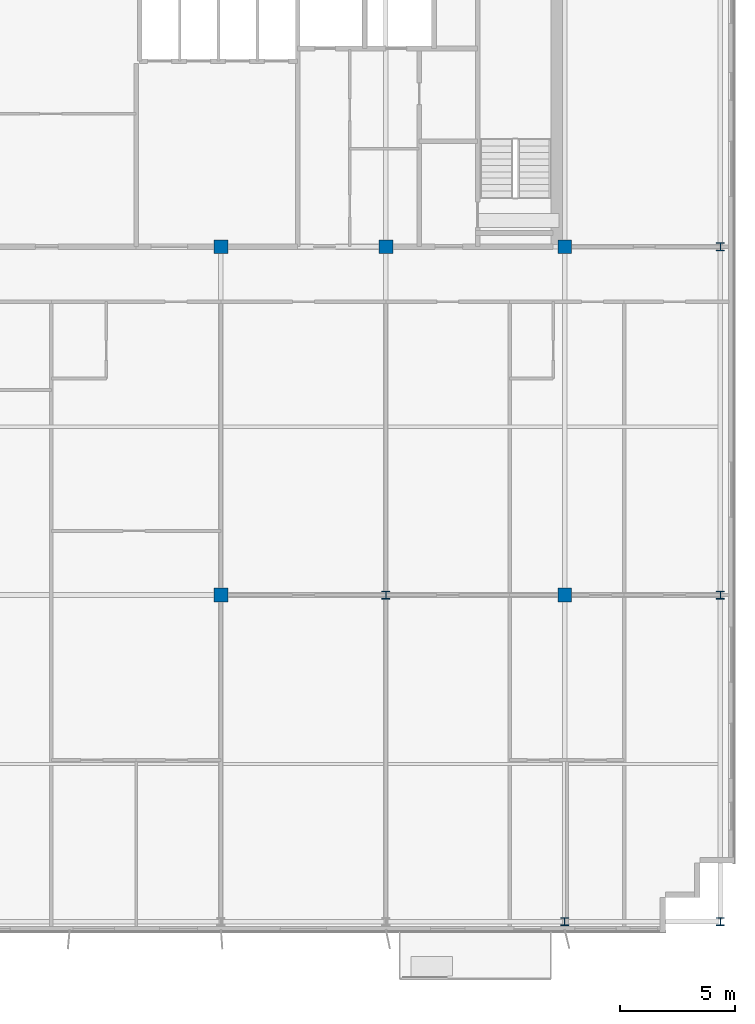
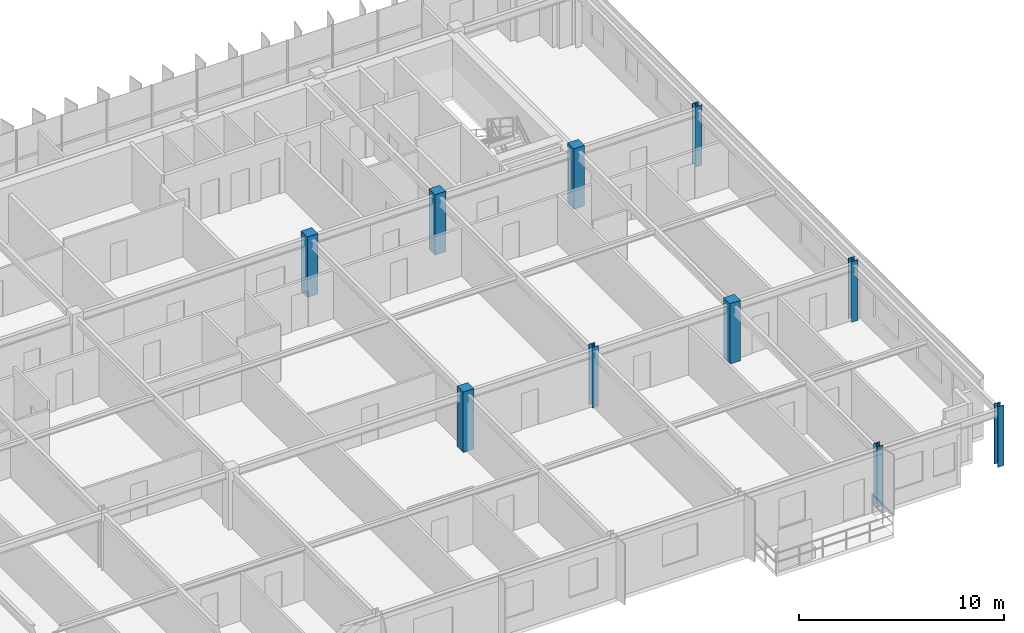
# One storey, part 2 of 23: 10 columns.
"""IFC4 building model written with IfcOpenShell, lengths in metres."""

from ifc_helpers import new_model, si_unit, direction, frame, origin, origin_2d, place, context, subcontext, project, spatial, rectangle, i_section, extrude, source, transform, mapped, material, material_profile, profile_set, type_object, element, save


model = new_model("IFC4")

# Units and contexts
model_context = context("Model", 3, precision=1e-05, world=origin(), true_north=direction((0.0, 1.0)))
body_context = subcontext(model_context, "Body", "Model", "MODEL_VIEW")
ifc_project = project(units=[si_unit("LENGTHUNIT", "METRE"), si_unit("AREAUNIT", "SQUARE_METRE"), si_unit("VOLUMEUNIT", "CUBIC_METRE"), si_unit("PLANEANGLEUNIT", "RADIAN"), si_unit("MASSUNIT", "GRAM", prefix="KILO")], contexts=[model_context])

# Site, building, storey
site_placement = place(None, origin())
site = spatial("IfcSite", under=ifc_project, at=site_placement, CompositionType="ELEMENT")
building_placement = place(site_placement, origin())
building = spatial("IfcBuilding", under=site, at=building_placement, Name="Trelvane Seafront Commons", CompositionType="ELEMENT")
storey_placement = place(building_placement, frame((0.0, 0.0, 266.699951171875)))
storey = spatial("IfcBuildingStorey", under=building, at=storey_placement, Name="L69", CompositionType="ELEMENT", Elevation=266.699951171875)

# Columns
ifc_material_1 = material(Name="Steel SM355 (S355)", Category="steel")
ifc_material_profile_1 = material_profile(ifc_material_1, i_section(OverallWidth=0.35009765625, OverallDepth=0.35009765625, WebThickness=0.01806640625, FlangeThickness=0.028076171875, at=origin_2d()), Name="HD-350x350x18x28")
ifc_profile_set_1 = profile_set([ifc_material_profile_1], Name="Steel SM355 (S355)")
column_type_1 = type_object("IfcColumnType", Name="STR-COL-HD350", PredefinedType="COLUMN", material=ifc_profile_set_1)
shared_shape_1 = source(origin(), body_context, "Body", "SweptSolid", [
    extrude(i_section(OverallWidth=0.35009765625, OverallDepth=0.35009765625, WebThickness=0.01806640625, FlangeThickness=0.028076171875, at=origin_2d()), origin(), (0.0, 0.0, 1.0), 3.60009765625),
])
for number, where, z_axis, x_axis, name in (
    (1, (51.0, 18.199951171875, 0.0), (0.0, 0.0, 1.0), (1.0, 0.0, 0.0), "L69 Column TC-M51.0"),
    (2, (58.800048828125, 3.949951171875, 0.0), (0.0, 0.0, 1.0), (1.0, 0.0, 0.0), "L69 Column TC-S58.8"),
    (3, (65.60009765625, 3.949951171875, 0.0), (0.0, 0.0, 1.0), (1.0, 0.0, 0.0), "L69 Column TC-S65.6"),
    (4, (65.60009765625, 18.199951171875, 0.0), (0.0, 0.0, 1.0), (1.0, 0.0, 0.0), "L69 Column TC-M65.6"),
    (5, (65.60009765625, 33.39990234375, 0.0), (0.0, 0.0, 1.0), (1.0, 0.0, 0.0), "L69 Column TC-CS65.6"),
):
    element("IfcColumn", number, at=place(storey_placement, frame(where, z_axis=z_axis, x_axis=x_axis)), inside=storey, type_object=column_type_1, Name=name, PredefinedType="COLUMN", context=body_context, shape_type="MappedRepresentation", body=[
        mapped(shared_shape_1, transform((0.0, 0.0, 0.0), x_axis=(1.0, 0.0, 0.0), y_axis=(0.0, 1.0, 0.0), z_axis=(0.0, 0.0, 1.0), scale=1.0)),
    ])
ifc_material_2 = material(Name="Concrete C50/60", Category="concrete")
ifc_material_profile_2 = material_profile(ifc_material_2, rectangle(XDim=0.60009765625, YDim=0.60009765625, at=origin_2d()), Name="RC-600x600")
ifc_profile_set_2 = profile_set([ifc_material_profile_2], Name="Concrete C50/60")
column_type_2 = type_object("IfcColumnType", Name="STR-COL-RC600", PredefinedType="COLUMN", material=ifc_profile_set_2)
shared_shape_2 = source(origin(), body_context, "Body", "SweptSolid", [
    extrude(rectangle(XDim=0.60009765625, YDim=0.60009765625, at=origin_2d()), origin(), (0.0, 0.0, 1.0), 3.60009765625),
])
for number, where, z_axis, x_axis, name in (
    (6, (43.800048828125, 18.199951171875, 0.0), (0.0, 0.0, 1.0), (1.0, 0.0, 0.0), "L69 Column TC-M43.8"),
    (7, (43.800048828125, 33.39990234375, 0.0), (0.0, 0.0, 1.0), (1.0, 0.0, 0.0), "L69 Column TC-CS43.8"),
    (8, (51.0, 33.39990234375, 0.0), (0.0, 0.0, 1.0), (1.0, 0.0, 0.0), "L69 Column TC-CS51.0"),
    (9, (58.800048828125, 18.199951171875, 0.0), (0.0, 0.0, 1.0), (1.0, 0.0, 0.0), "L69 Column TC-M58.8"),
    (10, (58.800048828125, 33.39990234375, 0.0), (0.0, 0.0, 1.0), (1.0, 0.0, 0.0), "L69 Column TC-CS58.8"),
):
    element("IfcColumn", number, at=place(storey_placement, frame(where, z_axis=z_axis, x_axis=x_axis)), inside=storey, type_object=column_type_2, Name=name, PredefinedType="COLUMN", context=body_context, shape_type="MappedRepresentation", body=[
        mapped(shared_shape_2, transform((0.0, 0.0, 0.0), x_axis=(1.0, 0.0, 0.0), y_axis=(0.0, 1.0, 0.0), z_axis=(0.0, 0.0, 1.0), scale=1.0)),
    ])

save(model, "model.ifc")
